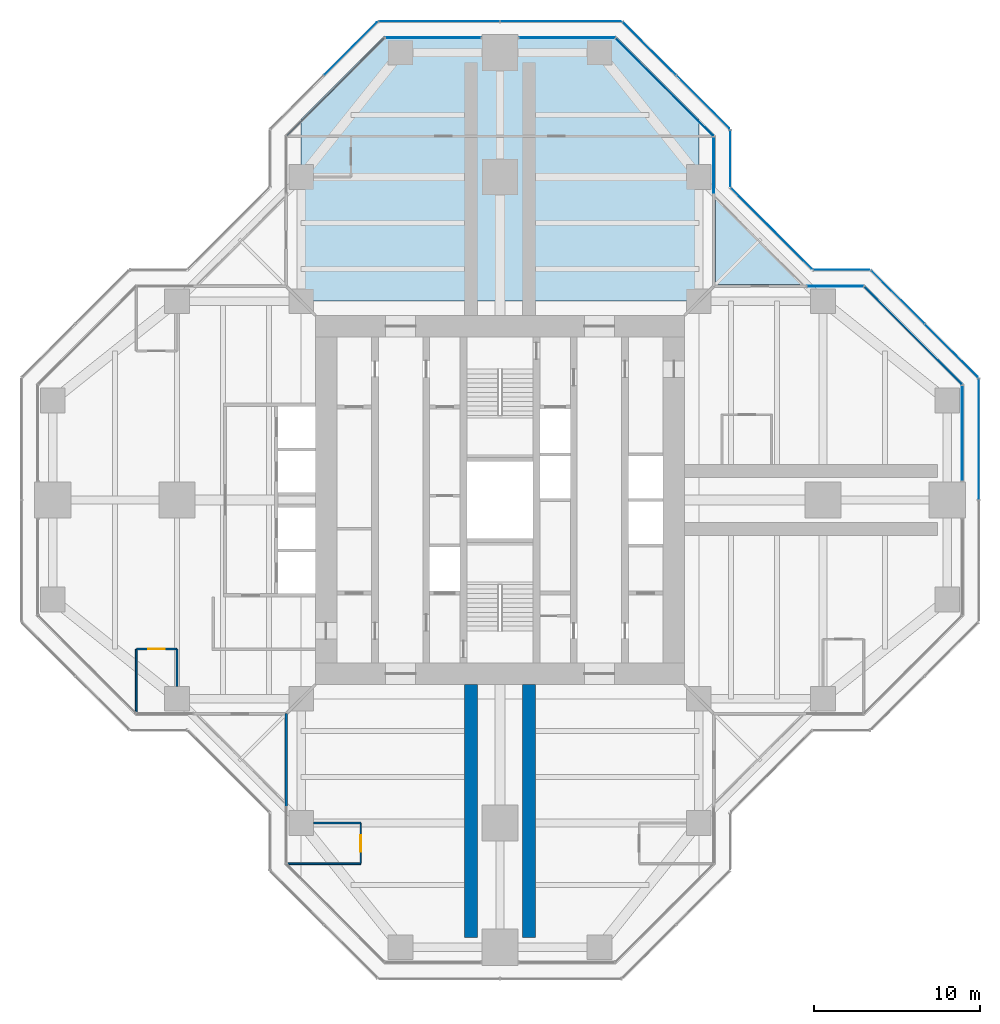
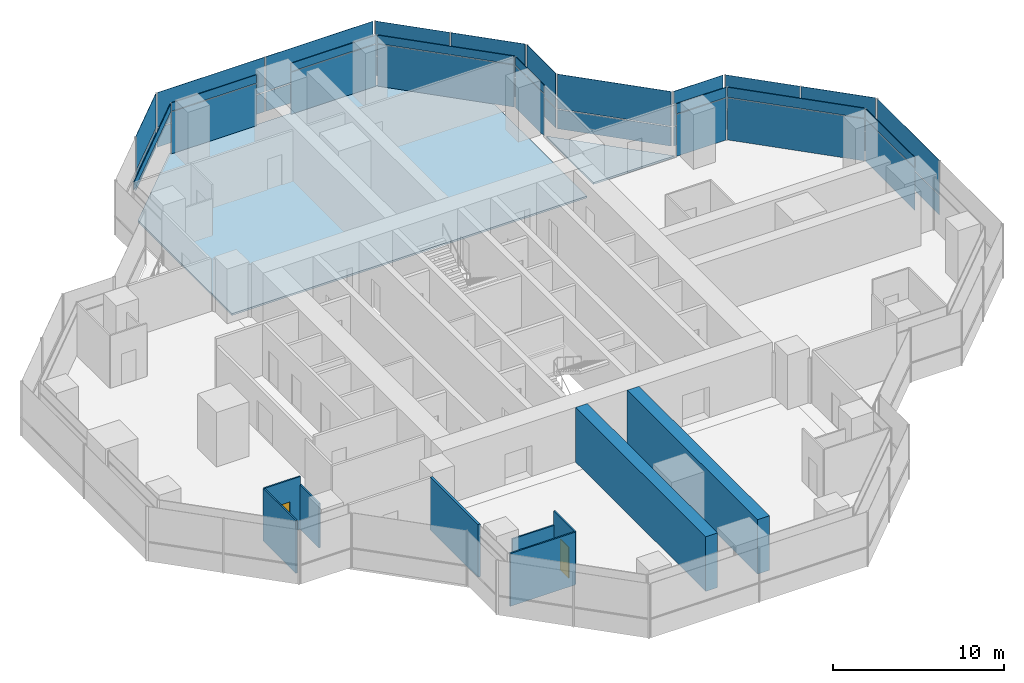
# One storey, part 12 of 17: 37 plates, 9 walls, 2 doors, 2 slabs, 2 openings, 16 elements without a shape of their own.
"""IFC4 building model written with IfcOpenShell, lengths in metres."""

from ifc_helpers import new_model, si_unit, direction, frame, frame_2d, origin, origin_2d, place, context, subcontext, project, spatial, polyline, rectangle, outline, extrude, material, layer, layer_set, type_object, element, fill, aggregate, save


model = new_model("IFC4")

# Units and contexts
model_context = context("Model", 3, precision=1e-05, world=origin(), true_north=direction((0.0, 1.0)))
body_context = subcontext(model_context, "Body", "Model", "MODEL_VIEW")
ifc_project = project(units=[si_unit("LENGTHUNIT", "METRE"), si_unit("AREAUNIT", "SQUARE_METRE"), si_unit("VOLUMEUNIT", "CUBIC_METRE"), si_unit("PLANEANGLEUNIT", "RADIAN"), si_unit("MASSUNIT", "GRAM", prefix="KILO")], contexts=[model_context])

# Site, building, storey
site_placement = place(None, origin())
site = spatial("IfcSite", under=ifc_project, at=site_placement, CompositionType="ELEMENT")
building_placement = place(site_placement, origin())
building = spatial("IfcBuilding", under=site, at=building_placement, Name="Mizan Broadcast Tower", CompositionType="ELEMENT")
storey_placement = place(building_placement, frame((0.0, 0.0, 263.39990234375)))
storey = spatial("IfcBuildingStorey", under=building, at=storey_placement, Name="L62", CompositionType="ELEMENT", Elevation=263.39990234375)

# Slab
ifc_material_1 = material(Name="Concrete C32/40", Category="concrete")
ifc_layer_1 = layer(ifc_material_1, 0.1298828125)
ifc_layer_set_1 = layer_set([ifc_layer_1], Name="Concrete C32/40")
slab_type_1 = type_object("IfcSlabType", Name="COMPOSITE DECK SLAB 130", PredefinedType="FLOOR", material=ifc_layer_set_1)
slab_1_placement = place(storey_placement, frame((0.0, 0.0, -0.1298828125)))
element("IfcSlab", 1, at=slab_1_placement, inside=storey, type_object=slab_type_1, Name="Floor slab L62 north arm", PredefinedType="FLOOR", context=body_context, shape_type="SweptSolid", body=[
    extrude(outline(polyline([(-7.0, 28.0), (-12.0, 23.0), (-12.0, 12.0), (12.0, 12.0), (12.0, 23.0), (7.0, 28.0), (-7.0, 28.0)])), origin(), (0.0, 0.0, 1.0), 0.1298828125),
])

# Curtain wall, plate
ifc_material_2 = material(Name="Aluminium framed glazing", Category="aluminium")
curtain_wall_type_1 = type_object("IfcCurtainWallType", Name="INNER SKIN HIGH ZONE", PredefinedType="USERDEFINED", material=ifc_material_2)
curtain_wall_1_placement = place(storey_placement, origin())
curtain_wall_1 = element("IfcCurtainWall", 2, at=curtain_wall_1_placement, inside=storey, type_object=curtain_wall_type_1, Name="Inner skin high zone L62 E end", ObjectType="INNER SKIN HIGH ZONE", PredefinedType="USERDEFINED")
ifc_material_3 = material(Name="Double glazing, clear low-e", Category="glass")
ifc_layer_2 = layer(ifc_material_3, 0.028076171875)
ifc_layer_set_2 = layer_set([ifc_layer_2], Name="Double glazing, clear low-e")
plate_type_1 = type_object("IfcPlateType", Name="INNER SKIN GLAZING UNIT", PredefinedType="CURTAIN_PANEL", material=ifc_layer_set_2)
plate_1_placement = place(storey_placement, frame((27.89990234375, 4.029296875, 0.0), z_axis=(0.0, 0.0, 1.0), x_axis=(0.0, 1.0, 0.0)))
plate_1 = element("IfcPlate", 3, at=plate_1_placement, type_object=plate_type_1, Name="Inner skin high zone L62 E end panel 1.1", PredefinedType="CURTAIN_PANEL", context=body_context, shape_type="SweptSolid", body=[
    extrude(rectangle(XDim=5.738525390625, YDim=0.028076171875, at=origin_2d()), origin(), (0.0, 0.0, 1.0), 3.0),
])

curtain_wall_2_placement = place(storey_placement, origin())
curtain_wall_2 = element("IfcCurtainWall", 4, at=curtain_wall_2_placement, inside=storey, type_object=curtain_wall_type_1, Name="Inner skin high zone L62 E chamfer", ObjectType="INNER SKIN HIGH ZONE", PredefinedType="USERDEFINED")
plate_2_placement = place(storey_placement, frame((24.92919921875, 9.92919921875, 0.0), z_axis=(0.0, 0.0, 1.0), x_axis=(-0.707106781187, 0.707106781187, 0.0)))
plate_2 = element("IfcPlate", 5, at=plate_2_placement, type_object=plate_type_1, Name="Inner skin high zone L62 E chamfer panel 1.1", PredefinedType="CURTAIN_PANEL", context=body_context, shape_type="SweptSolid", body=[
    extrude(rectangle(XDim=8.282470703125, YDim=0.028076171875, at=origin_2d()), origin(), (0.0, 0.0, 1.0), 3.0),
])

curtain_wall_3_placement = place(storey_placement, origin())
curtain_wall_3 = element("IfcCurtainWall", 6, at=curtain_wall_3_placement, inside=storey, type_object=curtain_wall_type_1, Name="Inner skin high zone L62 E side", ObjectType="INNER SKIN HIGH ZONE", PredefinedType="USERDEFINED")
plate_3_placement = place(storey_placement, frame((20.229248046875, 12.89990234375, 0.0), z_axis=(0.0, 0.0, 1.0), x_axis=(-1.0, 0.0, 0.0)))
plate_3 = element("IfcPlate", 7, at=plate_3_placement, type_object=plate_type_1, Name="Inner skin high zone L62 E side panel 1.1", PredefinedType="CURTAIN_PANEL", context=body_context, shape_type="SweptSolid", body=[
    extrude(rectangle(XDim=3.338623046875, YDim=0.028076171875, at=origin_2d()), origin(), (0.0, 0.0, 1.0), 3.0),
])

curtain_wall_4_placement = place(storey_placement, origin())
curtain_wall_4 = element("IfcCurtainWall", 8, at=curtain_wall_4_placement, inside=storey, type_object=curtain_wall_type_1, Name="Inner skin high zone L62 N side", ObjectType="INNER SKIN HIGH ZONE", PredefinedType="USERDEFINED")
plate_4_placement = place(storey_placement, frame((12.89990234375, 20.229248046875, 0.0), z_axis=(0.0, 0.0, 1.0), x_axis=(0.0, 1.0, 0.0)))
plate_4 = element("IfcPlate", 9, at=plate_4_placement, type_object=plate_type_1, Name="Inner skin high zone L62 N side panel 1.1", PredefinedType="CURTAIN_PANEL", context=body_context, shape_type="SweptSolid", body=[
    extrude(rectangle(XDim=3.338623046875, YDim=0.028076171875, at=origin_2d()), origin(), (0.0, 0.0, 1.0), 3.0),
])

curtain_wall_5_placement = place(storey_placement, origin())
curtain_wall_5 = element("IfcCurtainWall", 10, at=curtain_wall_5_placement, inside=storey, type_object=curtain_wall_type_1, Name="Inner skin high zone L62 N chamfer", ObjectType="INNER SKIN HIGH ZONE", PredefinedType="USERDEFINED")
plate_5_placement = place(storey_placement, frame((9.92919921875, 24.92919921875, 0.0), z_axis=(0.0, 0.0, 1.0), x_axis=(-0.707106781187, 0.707106781187, 0.0)))
plate_5 = element("IfcPlate", 11, at=plate_5_placement, type_object=plate_type_1, Name="Inner skin high zone L62 N chamfer panel 1.1", PredefinedType="CURTAIN_PANEL", context=body_context, shape_type="SweptSolid", body=[
    extrude(rectangle(XDim=8.282470703125, YDim=0.028076171875, at=origin_2d()), origin(), (0.0, 0.0, 1.0), 3.0),
])

curtain_wall_6_placement = place(storey_placement, origin())
curtain_wall_6 = element("IfcCurtainWall", 12, at=curtain_wall_6_placement, inside=storey, type_object=curtain_wall_type_1, Name="Inner skin high zone L62 N end", ObjectType="INNER SKIN HIGH ZONE", PredefinedType="USERDEFINED")
plate_6_placement = place(storey_placement, frame((4.029296875, 27.89990234375, 0.0), z_axis=(0.0, 0.0, 1.0), x_axis=(-1.0, 0.0, 0.0)))
plate_6 = element("IfcPlate", 13, at=plate_6_placement, type_object=plate_type_1, Name="Inner skin high zone L62 N end panel 1.1", PredefinedType="CURTAIN_PANEL", context=body_context, shape_type="SweptSolid", body=[
    extrude(rectangle(XDim=5.738525390625, YDim=0.028076171875, at=origin_2d()), origin(), (0.0, 0.0, 1.0), 3.0),
])

curtain_wall_7_placement = place(storey_placement, origin())
curtain_wall_7 = element("IfcCurtainWall", 14, at=curtain_wall_7_placement, inside=storey, type_object=curtain_wall_type_1, Name="Inner skin high zone L62 N end", ObjectType="INNER SKIN HIGH ZONE", PredefinedType="USERDEFINED")
plate_7_placement = place(storey_placement, frame((-4.029296875, 27.89990234375, 0.0), z_axis=(0.0, 0.0, 1.0), x_axis=(-1.0, 0.0, 0.0)))
plate_7 = element("IfcPlate", 15, at=plate_7_placement, type_object=plate_type_1, Name="Inner skin high zone L62 N end panel 1.1", PredefinedType="CURTAIN_PANEL", context=body_context, shape_type="SweptSolid", body=[
    extrude(rectangle(XDim=5.738525390625, YDim=0.028076171875, at=origin_2d()), origin(), (0.0, 0.0, 1.0), 3.0),
])

# Plate
ifc_material_4 = material(Name="Insulated aluminium spandrel panel, pale anodised", Category="aluminium")
ifc_layer_3 = layer(ifc_material_4, 0.050048828125)
ifc_layer_set_3 = layer_set([ifc_layer_3], Name="Insulated aluminium spandrel panel, pale anodised")
plate_type_2 = type_object("IfcPlateType", Name="INNER SKIN SPANDREL PANEL", PredefinedType="CURTAIN_PANEL", material=ifc_layer_set_3)
plate_8_placement = place(storey_placement, frame((27.89990234375, 4.029296875, 3.06005859375), z_axis=(0.0, 0.0, 1.0), x_axis=(0.0, 1.0, 0.0)))
plate_8 = element("IfcPlate", 16, at=plate_8_placement, type_object=plate_type_2, Name="Inner skin high zone L62 E end panel 1.2", PredefinedType="CURTAIN_PANEL", context=body_context, shape_type="SweptSolid", body=[
    extrude(rectangle(XDim=5.738525390625, YDim=0.050048828125, at=origin_2d()), origin(), (0.0, 0.0, 1.0), 0.7099609375),
])

aggregate(curtain_wall_1, [plate_1, plate_8])

plate_9_placement = place(storey_placement, frame((24.92919921875, 9.92919921875, 3.06005859375), z_axis=(0.0, 0.0, 1.0), x_axis=(-0.707106781187, 0.707106781187, 0.0)))
plate_9 = element("IfcPlate", 17, at=plate_9_placement, type_object=plate_type_2, Name="Inner skin high zone L62 E chamfer panel 1.2", PredefinedType="CURTAIN_PANEL", context=body_context, shape_type="SweptSolid", body=[
    extrude(rectangle(XDim=8.282470703125, YDim=0.050048828125, at=origin_2d()), origin(), (0.0, 0.0, 1.0), 0.7099609375),
])

aggregate(curtain_wall_2, [plate_2, plate_9])

plate_10_placement = place(storey_placement, frame((20.229248046875, 12.89990234375, 3.06005859375), z_axis=(0.0, 0.0, 1.0), x_axis=(-1.0, 0.0, 0.0)))
plate_10 = element("IfcPlate", 18, at=plate_10_placement, type_object=plate_type_2, Name="Inner skin high zone L62 E side panel 1.2", PredefinedType="CURTAIN_PANEL", context=body_context, shape_type="SweptSolid", body=[
    extrude(rectangle(XDim=3.338623046875, YDim=0.050048828125, at=origin_2d()), origin(), (0.0, 0.0, 1.0), 0.7099609375),
])

aggregate(curtain_wall_3, [plate_3, plate_10])

plate_11_placement = place(storey_placement, frame((12.89990234375, 20.229248046875, 3.06005859375), z_axis=(0.0, 0.0, 1.0), x_axis=(0.0, 1.0, 0.0)))
plate_11 = element("IfcPlate", 19, at=plate_11_placement, type_object=plate_type_2, Name="Inner skin high zone L62 N side panel 1.2", PredefinedType="CURTAIN_PANEL", context=body_context, shape_type="SweptSolid", body=[
    extrude(rectangle(XDim=3.338623046875, YDim=0.050048828125, at=origin_2d()), origin(), (0.0, 0.0, 1.0), 0.590087890625),
])

aggregate(curtain_wall_4, [plate_4, plate_11])

plate_12_placement = place(storey_placement, frame((9.92919921875, 24.92919921875, 3.06005859375), z_axis=(0.0, 0.0, 1.0), x_axis=(-0.707106781187, 0.707106781187, 0.0)))
plate_12 = element("IfcPlate", 20, at=plate_12_placement, type_object=plate_type_2, Name="Inner skin high zone L62 N chamfer panel 1.2", PredefinedType="CURTAIN_PANEL", context=body_context, shape_type="SweptSolid", body=[
    extrude(rectangle(XDim=8.282470703125, YDim=0.050048828125, at=origin_2d()), origin(), (0.0, 0.0, 1.0), 0.590087890625),
])

aggregate(curtain_wall_5, [plate_5, plate_12])

plate_13_placement = place(storey_placement, frame((4.029296875, 27.89990234375, 3.06005859375), z_axis=(0.0, 0.0, 1.0), x_axis=(-1.0, 0.0, 0.0)))
plate_13 = element("IfcPlate", 21, at=plate_13_placement, type_object=plate_type_2, Name="Inner skin high zone L62 N end panel 1.2", PredefinedType="CURTAIN_PANEL", context=body_context, shape_type="SweptSolid", body=[
    extrude(rectangle(XDim=5.738525390625, YDim=0.050048828125, at=origin_2d()), origin(), (0.0, 0.0, 1.0), 0.590087890625),
])

aggregate(curtain_wall_6, [plate_6, plate_13])

plate_14_placement = place(storey_placement, frame((-4.029296875, 27.89990234375, 3.06005859375), z_axis=(0.0, 0.0, 1.0), x_axis=(-1.0, 0.0, 0.0)))
plate_14 = element("IfcPlate", 22, at=plate_14_placement, type_object=plate_type_2, Name="Inner skin high zone L62 N end panel 1.2", PredefinedType="CURTAIN_PANEL", context=body_context, shape_type="SweptSolid", body=[
    extrude(rectangle(XDim=5.738525390625, YDim=0.050048828125, at=origin_2d()), origin(), (0.0, 0.0, 1.0), 0.590087890625),
])

aggregate(curtain_wall_7, [plate_7, plate_14])

# Curtain wall, plate
curtain_wall_8_placement = place(storey_placement, origin())
curtain_wall_8 = element("IfcCurtainWall", 23, at=curtain_wall_8_placement, inside=storey, type_object=curtain_wall_type_1, Name="Inner skin high zone L62 N chamfer", ObjectType="INNER SKIN HIGH ZONE", PredefinedType="USERDEFINED")
plate_15_placement = place(storey_placement, frame((-9.92919921875, 24.92919921875, 3.06005859375), z_axis=(0.0, 0.0, 1.0), x_axis=(-0.707106781187, -0.707106781187, 0.0)))
plate_15 = element("IfcPlate", 24, at=plate_15_placement, type_object=plate_type_2, Name="Inner skin high zone L62 N chamfer panel 1.2", PredefinedType="CURTAIN_PANEL", context=body_context, shape_type="SweptSolid", body=[
    extrude(rectangle(XDim=8.282470703125, YDim=0.050048828125, at=origin_2d()), origin(), (0.0, 0.0, 1.0), 0.590087890625),
])
aggregate(curtain_wall_8, [plate_15])

# Curtain wall, plates
ifc_material_5 = material(Name="Aluminium framed glazing", Category="aluminium")
curtain_wall_type_2 = type_object("IfcCurtainWallType", Name="OUTER SKIN", PredefinedType="USERDEFINED", material=ifc_material_5)
curtain_wall_9_placement = place(storey_placement, origin())
curtain_wall_9 = element("IfcCurtainWall", 25, at=curtain_wall_9_placement, inside=storey, type_object=curtain_wall_type_2, Name="Outer skin L62 E chamfer", ObjectType="OUTER SKIN", PredefinedType="USERDEFINED")
ifc_material_6 = material(Name="Laminated clear glass", Category="glass")
ifc_layer_4 = layer(ifc_material_6, 0.02001953125)
ifc_layer_set_4 = layer_set([ifc_layer_4], Name="Laminated clear glass")
plate_type_3 = type_object("IfcPlateType", Name="OUTER SKIN CLEAR GLASS", PredefinedType="CURTAIN_PANEL", material=ifc_layer_set_4)
plate_16_placement = place(storey_placement, frame((27.254150390625, 9.018798828125, 0.0), z_axis=(0.0, 0.0, 1.0), x_axis=(-0.707106781187, 0.707106781187, 0.0)))
plate_16 = element("IfcPlate", 26, at=plate_16_placement, type_object=plate_type_3, Name="Outer skin L62 E chamfer panel 1.1", PredefinedType="CURTAIN_PANEL", context=body_context, shape_type="SweptSolid", body=[
    extrude(rectangle(XDim=4.495361328125, YDim=0.02001953125, at=origin_2d()), origin(), (0.0, 0.0, 1.0), 1.3701171875),
])
plate_17_placement = place(storey_placement, frame((27.254150390625, 9.018798828125, 1.43017578125), z_axis=(0.0, 0.0, 1.0), x_axis=(-0.707106781187, 0.707106781187, 0.0)))
plate_17 = element("IfcPlate", 27, at=plate_17_placement, type_object=plate_type_3, Name="Outer skin L62 E chamfer panel 1.2", PredefinedType="CURTAIN_PANEL", context=body_context, shape_type="SweptSolid", body=[
    extrude(rectangle(XDim=4.495361328125, YDim=0.02001953125, at=origin_2d()), origin(), (0.0, 0.0, 1.0), 2.469970703125),
])

curtain_wall_10_placement = place(storey_placement, origin())
curtain_wall_10 = element("IfcCurtainWall", 28, at=curtain_wall_10_placement, inside=storey, type_object=curtain_wall_type_2, Name="Outer skin L62 E side", ObjectType="OUTER SKIN", PredefinedType="USERDEFINED")
plate_18_placement = place(storey_placement, frame((20.622802734375, 13.89990234375, 0.0), z_axis=(0.0, 0.0, 1.0), x_axis=(-1.0, 0.0, 0.0)))
plate_18 = element("IfcPlate", 29, at=plate_18_placement, type_object=plate_type_3, Name="Outer skin L62 E side panel 1.1", PredefinedType="CURTAIN_PANEL", context=body_context, shape_type="SweptSolid", body=[
    extrude(rectangle(XDim=3.340087890625, YDim=0.02001953125, at=origin_2d()), origin(), (0.0, 0.0, 1.0), 1.3701171875),
])
plate_19_placement = place(storey_placement, frame((20.622802734375, 13.89990234375, 1.43017578125), z_axis=(0.0, 0.0, 1.0), x_axis=(-1.0, 0.0, 0.0)))
plate_19 = element("IfcPlate", 30, at=plate_19_placement, type_object=plate_type_3, Name="Outer skin L62 E side panel 1.2", PredefinedType="CURTAIN_PANEL", context=body_context, shape_type="SweptSolid", body=[
    extrude(rectangle(XDim=3.340087890625, YDim=0.02001953125, at=origin_2d()), origin(), (0.0, 0.0, 1.0), 2.469970703125),
])
aggregate(curtain_wall_10, [plate_18, plate_19])

curtain_wall_11_placement = place(storey_placement, origin())
curtain_wall_11 = element("IfcCurtainWall", 31, at=curtain_wall_11_placement, inside=storey, type_object=curtain_wall_type_2, Name="Outer skin L62 E chamfer", ObjectType="OUTER SKIN", PredefinedType="USERDEFINED")
plate_20_placement = place(storey_placement, frame((16.386474609375, 16.386474609375, 0.0), z_axis=(0.0, 0.0, 1.0), x_axis=(-0.707106781187, 0.707106781187, 0.0)))
plate_20 = element("IfcPlate", 32, at=plate_20_placement, type_object=plate_type_3, Name="Outer skin L62 E chamfer panel 1.1", PredefinedType="CURTAIN_PANEL", context=body_context, shape_type="SweptSolid", body=[
    extrude(rectangle(XDim=6.87255859375, YDim=0.02001953125, at=origin_2d()), origin(), (0.0, 0.0, 1.0), 1.3701171875),
])
plate_21_placement = place(storey_placement, frame((16.386474609375, 16.386474609375, 1.43017578125), z_axis=(0.0, 0.0, 1.0), x_axis=(-0.707106781187, 0.707106781187, 0.0)))
plate_21 = element("IfcPlate", 33, at=plate_21_placement, type_object=plate_type_3, Name="Outer skin L62 E chamfer panel 1.2", PredefinedType="CURTAIN_PANEL", context=body_context, shape_type="SweptSolid", body=[
    extrude(rectangle(XDim=6.87255859375, YDim=0.02001953125, at=origin_2d()), origin(), (0.0, 0.0, 1.0), 2.469970703125),
])
aggregate(curtain_wall_11, [plate_20, plate_21])

curtain_wall_12_placement = place(storey_placement, origin())
curtain_wall_12 = element("IfcCurtainWall", 34, at=curtain_wall_12_placement, inside=storey, type_object=curtain_wall_type_2, Name="Outer skin L62 N side", ObjectType="OUTER SKIN", PredefinedType="USERDEFINED")
plate_22_placement = place(storey_placement, frame((13.89990234375, 20.622802734375, 0.0), z_axis=(0.0, 0.0, 1.0), x_axis=(0.0, 1.0, 0.0)))
plate_22 = element("IfcPlate", 35, at=plate_22_placement, type_object=plate_type_3, Name="Outer skin L62 N side panel 1.1", PredefinedType="CURTAIN_PANEL", context=body_context, shape_type="SweptSolid", body=[
    extrude(rectangle(XDim=3.340087890625, YDim=0.02001953125, at=origin_2d()), origin(), (0.0, 0.0, 1.0), 1.3701171875),
])
plate_23_placement = place(storey_placement, frame((13.89990234375, 20.622802734375, 1.43017578125), z_axis=(0.0, 0.0, 1.0), x_axis=(0.0, 1.0, 0.0)))
plate_23 = element("IfcPlate", 36, at=plate_23_placement, type_object=plate_type_3, Name="Outer skin L62 N side panel 1.2", PredefinedType="CURTAIN_PANEL", context=body_context, shape_type="SweptSolid", body=[
    extrude(rectangle(XDim=3.340087890625, YDim=0.02001953125, at=origin_2d()), origin(), (0.0, 0.0, 1.0), 2.469970703125),
])
aggregate(curtain_wall_12, [plate_22, plate_23])

curtain_wall_13_placement = place(storey_placement, origin())
curtain_wall_13 = element("IfcCurtainWall", 37, at=curtain_wall_13_placement, inside=storey, type_object=curtain_wall_type_2, Name="Outer skin L62 N chamfer", ObjectType="OUTER SKIN", PredefinedType="USERDEFINED")
plate_24_placement = place(storey_placement, frame((12.254150390625, 24.018798828125, 0.0), z_axis=(0.0, 0.0, 1.0), x_axis=(-0.707106781187, 0.707106781187, 0.0)))
plate_24 = element("IfcPlate", 38, at=plate_24_placement, type_object=plate_type_3, Name="Outer skin L62 N chamfer panel 1.1", PredefinedType="CURTAIN_PANEL", context=body_context, shape_type="SweptSolid", body=[
    extrude(rectangle(XDim=4.495361328125, YDim=0.02001953125, at=origin_2d()), origin(), (0.0, 0.0, 1.0), 1.3701171875),
])
plate_25_placement = place(storey_placement, frame((12.254150390625, 24.018798828125, 1.43017578125), z_axis=(0.0, 0.0, 1.0), x_axis=(-0.707106781187, 0.707106781187, 0.0)))
plate_25 = element("IfcPlate", 39, at=plate_25_placement, type_object=plate_type_3, Name="Outer skin L62 N chamfer panel 1.2", PredefinedType="CURTAIN_PANEL", context=body_context, shape_type="SweptSolid", body=[
    extrude(rectangle(XDim=4.495361328125, YDim=0.02001953125, at=origin_2d()), origin(), (0.0, 0.0, 1.0), 2.469970703125),
])

curtain_wall_14_placement = place(storey_placement, origin())
curtain_wall_14 = element("IfcCurtainWall", 40, at=curtain_wall_14_placement, inside=storey, type_object=curtain_wall_type_2, Name="Outer skin L62 N end", ObjectType="OUTER SKIN", PredefinedType="USERDEFINED")
plate_26_placement = place(storey_placement, frame((3.66650390625, 28.89990234375, 0.0), z_axis=(0.0, 0.0, 1.0), x_axis=(-1.0, 0.0, 0.0)))
plate_26 = element("IfcPlate", 41, at=plate_26_placement, type_object=plate_type_3, Name="Outer skin L62 N end panel 1.1", PredefinedType="CURTAIN_PANEL", context=body_context, shape_type="SweptSolid", body=[
    extrude(rectangle(XDim=7.252685546875, YDim=0.02001953125, at=origin_2d()), origin(), (0.0, 0.0, 1.0), 1.3701171875),
])
plate_27_placement = place(storey_placement, frame((3.66650390625, 28.89990234375, 1.43017578125), z_axis=(0.0, 0.0, 1.0), x_axis=(-1.0, 0.0, 0.0)))
plate_27 = element("IfcPlate", 42, at=plate_27_placement, type_object=plate_type_3, Name="Outer skin L62 N end panel 1.2", PredefinedType="CURTAIN_PANEL", context=body_context, shape_type="SweptSolid", body=[
    extrude(rectangle(XDim=7.252685546875, YDim=0.02001953125, at=origin_2d()), origin(), (0.0, 0.0, 1.0), 2.469970703125),
])
plate_28_placement = place(storey_placement, frame((-3.66650390625, 28.89990234375, 0.0), z_axis=(0.0, 0.0, 1.0), x_axis=(-1.0, 0.0, 0.0)))
plate_28 = element("IfcPlate", 43, at=plate_28_placement, type_object=plate_type_3, Name="Outer skin L62 N end panel 2.1", PredefinedType="CURTAIN_PANEL", context=body_context, shape_type="SweptSolid", body=[
    extrude(rectangle(XDim=7.252685546875, YDim=0.02001953125, at=origin_2d()), origin(), (0.0, 0.0, 1.0), 1.3701171875),
])
plate_29_placement = place(storey_placement, frame((-3.66650390625, 28.89990234375, 1.43017578125), z_axis=(0.0, 0.0, 1.0), x_axis=(-1.0, 0.0, 0.0)))
plate_29 = element("IfcPlate", 44, at=plate_29_placement, type_object=plate_type_3, Name="Outer skin L62 N end panel 2.2", PredefinedType="CURTAIN_PANEL", context=body_context, shape_type="SweptSolid", body=[
    extrude(rectangle(XDim=7.252685546875, YDim=0.02001953125, at=origin_2d()), origin(), (0.0, 0.0, 1.0), 2.469970703125),
])
aggregate(curtain_wall_14, [plate_26, plate_27, plate_28, plate_29])

curtain_wall_15_placement = place(storey_placement, origin())
curtain_wall_15 = element("IfcCurtainWall", 45, at=curtain_wall_15_placement, inside=storey, type_object=curtain_wall_type_2, Name="Outer skin L62 N chamfer", ObjectType="OUTER SKIN", PredefinedType="USERDEFINED")
plate_30_placement = place(storey_placement, frame((-9.018798828125, 27.254150390625, 0.0), z_axis=(0.0, 0.0, 1.0), x_axis=(-0.707106781187, -0.707106781187, 0.0)))
plate_30 = element("IfcPlate", 46, at=plate_30_placement, type_object=plate_type_3, Name="Outer skin L62 N chamfer panel 1.1", PredefinedType="CURTAIN_PANEL", context=body_context, shape_type="SweptSolid", body=[
    extrude(rectangle(XDim=4.495361328125, YDim=0.02001953125, at=origin_2d()), origin(), (0.0, 0.0, 1.0), 1.3701171875),
])
plate_31_placement = place(storey_placement, frame((-9.018798828125, 27.254150390625, 1.43017578125), z_axis=(0.0, 0.0, 1.0), x_axis=(-0.707106781187, -0.707106781187, 0.0)))
plate_31 = element("IfcPlate", 47, at=plate_31_placement, type_object=plate_type_3, Name="Outer skin L62 N chamfer panel 1.2", PredefinedType="CURTAIN_PANEL", context=body_context, shape_type="SweptSolid", body=[
    extrude(rectangle(XDim=4.495361328125, YDim=0.02001953125, at=origin_2d()), origin(), (0.0, 0.0, 1.0), 2.469970703125),
])
aggregate(curtain_wall_15, [plate_30, plate_31])

curtain_wall_16_placement = place(storey_placement, origin())
curtain_wall_16 = element("IfcCurtainWall", 48, at=curtain_wall_16_placement, inside=storey, type_object=curtain_wall_type_2, Name="Outer skin L62 E end", ObjectType="OUTER SKIN", PredefinedType="USERDEFINED")
ifc_material_7 = material(Name="Perforated aluminium, pale anodised", Category="aluminium")
ifc_layer_5 = layer(ifc_material_7, 0.011962890625)
ifc_layer_set_5 = layer_set([ifc_layer_5], Name="Perforated aluminium, pale anodised")
plate_type_4 = type_object("IfcPlateType", Name="OUTER SKIN PERFORATED SCREEN", PredefinedType="USERDEFINED", material=ifc_layer_set_5)
plate_32_placement = place(storey_placement, frame((28.89990234375, 3.66650390625, 0.0), z_axis=(0.0, 0.0, 1.0), x_axis=(0.0, 1.0, 0.0)))
plate_32 = element("IfcPlate", 49, at=plate_32_placement, type_object=plate_type_4, Name="Outer skin L62 E end panel 2.1", ObjectType="SCREEN", PredefinedType="USERDEFINED", context=body_context, shape_type="SweptSolid", body=[
    extrude(rectangle(XDim=7.252685546875, YDim=0.011962890625, at=origin_2d()), origin(), (0.0, 0.0, 1.0), 1.3701171875),
])
plate_33_placement = place(storey_placement, frame((28.89990234375, 3.66650390625, 1.43017578125), z_axis=(0.0, 0.0, 1.0), x_axis=(0.0, 1.0, 0.0)))
plate_33 = element("IfcPlate", 50, at=plate_33_placement, type_object=plate_type_4, Name="Outer skin L62 E end panel 2.2", ObjectType="SCREEN", PredefinedType="USERDEFINED", context=body_context, shape_type="SweptSolid", body=[
    extrude(rectangle(XDim=7.252685546875, YDim=0.011962890625, at=origin_2d()), origin(), (0.0, 0.0, 1.0), 2.469970703125),
])
aggregate(curtain_wall_16, [plate_32, plate_33])

# Plate
plate_34_placement = place(storey_placement, frame((24.018798828125, 12.254150390625, 0.0), z_axis=(0.0, 0.0, 1.0), x_axis=(-0.707106781187, 0.707106781187, 0.0)))
plate_34 = element("IfcPlate", 51, at=plate_34_placement, type_object=plate_type_4, Name="Outer skin L62 E chamfer panel 2.1", ObjectType="SCREEN", PredefinedType="USERDEFINED", context=body_context, shape_type="SweptSolid", body=[
    extrude(rectangle(XDim=4.495361328125, YDim=0.011962890625, at=origin_2d()), origin(), (0.0, 0.0, 1.0), 1.3701171875),
])

plate_35_placement = place(storey_placement, frame((24.018798828125, 12.254150390625, 1.43017578125), z_axis=(0.0, 0.0, 1.0), x_axis=(-0.707106781187, 0.707106781187, 0.0)))
plate_35 = element("IfcPlate", 52, at=plate_35_placement, type_object=plate_type_4, Name="Outer skin L62 E chamfer panel 2.2", ObjectType="SCREEN", PredefinedType="USERDEFINED", context=body_context, shape_type="SweptSolid", body=[
    extrude(rectangle(XDim=4.495361328125, YDim=0.011962890625, at=origin_2d()), origin(), (0.0, 0.0, 1.0), 2.469970703125),
])

aggregate(curtain_wall_9, [plate_16, plate_17, plate_34, plate_35])

plate_36_placement = place(storey_placement, frame((9.018798828125, 27.254150390625, 0.0), z_axis=(0.0, 0.0, 1.0), x_axis=(-0.707106781187, 0.707106781187, 0.0)))
plate_36 = element("IfcPlate", 53, at=plate_36_placement, type_object=plate_type_4, Name="Outer skin L62 N chamfer panel 2.1", ObjectType="SCREEN", PredefinedType="USERDEFINED", context=body_context, shape_type="SweptSolid", body=[
    extrude(rectangle(XDim=4.495361328125, YDim=0.011962890625, at=origin_2d()), origin(), (0.0, 0.0, 1.0), 1.3701171875),
])

plate_37_placement = place(storey_placement, frame((9.018798828125, 27.254150390625, 1.43017578125), z_axis=(0.0, 0.0, 1.0), x_axis=(-0.707106781187, 0.707106781187, 0.0)))
plate_37 = element("IfcPlate", 54, at=plate_37_placement, type_object=plate_type_4, Name="Outer skin L62 N chamfer panel 2.2", ObjectType="SCREEN", PredefinedType="USERDEFINED", context=body_context, shape_type="SweptSolid", body=[
    extrude(rectangle(XDim=4.495361328125, YDim=0.011962890625, at=origin_2d()), origin(), (0.0, 0.0, 1.0), 2.469970703125),
])

aggregate(curtain_wall_13, [plate_24, plate_25, plate_36, plate_37])

# Slab
ifc_material_8 = material(Name="Concrete C32/40", Category="concrete")
ifc_layer_6 = layer(ifc_material_8, 0.1298828125)
ifc_layer_set_6 = layer_set([ifc_layer_6], Name="Concrete C32/40")
slab_type_2 = type_object("IfcSlabType", Name="WINTER GARDEN SLAB 130", PredefinedType="FLOOR", material=ifc_layer_set_6)
slab_2_placement = place(storey_placement, frame((0.0, 0.0, -0.1298828125)))
element("IfcSlab", 55, at=slab_2_placement, inside=storey, type_object=slab_type_2, Name="Winter garden slab L62 E", PredefinedType="FLOOR", context=body_context, shape_type="SweptSolid", body=[
    extrude(outline(polyline([(13.0, 13.0), (18.5, 13.0), (13.0, 18.5), (13.0, 13.0)])), origin(), (0.0, 0.0, 1.0), 0.1298828125),
])

# Wall
ifc_material_9 = material(Name="Aluminium framed glazed screen", Category="aluminium")
ifc_layer_7 = layer(ifc_material_9, 0.159912109375)
ifc_layer_set_7 = layer_set([ifc_layer_7], Name="Aluminium framed glazed screen")
wall_type_1 = type_object("IfcWallType", Name="GLAZED SCREEN WALL 160", PredefinedType="SOLIDWALL", material=ifc_layer_set_7)
wall_1_placement = place(storey_placement, frame((-12.89990234375, -12.89990234375, 0.0), z_axis=(0.0, 0.0, 1.0), x_axis=(0.0, -1.0, 0.0)))
element("IfcWall", 56, at=wall_1_placement, inside=storey, type_object=wall_type_1, Name="Winter garden screen L62 S", PredefinedType="SOLIDWALL", context=body_context, shape_type="SweptSolid", body=[
    extrude(rectangle(XDim=5.60009765625, YDim=0.159912109375, at=frame_2d((2.800048828125, 0.0))), origin(), (0.0, 0.0, 1.0), 3.77001953125),
])

# Wall, opening, door
ifc_material_10 = material(Name="Glazed aluminium partition on aluminium track", Category="aluminium")
ifc_layer_8 = layer(ifc_material_10, 0.10009765625)
ifc_layer_set_8 = layer_set([ifc_layer_8], Name="Glazed aluminium partition on aluminium track")
wall_type_2 = type_object("IfcWallType", Name="PARTITION GLAZED OFFICE FRONT 100", PredefinedType="PARTITIONING", material=ifc_layer_set_8)
wall_2_placement = place(storey_placement, frame((-19.5, -9.0, 0.0), z_axis=(0.0, 0.0, 1.0), x_axis=(-1.0, 0.0, 0.0)))
wall_2 = element("IfcWall", 57, at=wall_2_placement, inside=storey, type_object=wall_type_2, Name="Glazed office front PT/WCP0", PredefinedType="PARTITIONING", context=body_context, shape_type="SweptSolid", body=[
    extrude(rectangle(XDim=2.458984375, YDim=0.10009765625, at=frame_2d((1.2294921875, 0.0))), origin(), (0.0, 0.0, 1.0), 3.77001953125),
])
opening_1_placement = place(wall_2_placement, frame((0.7294921875, 0.0, 0.0)))
opening_1 = element("IfcOpeningElement", 58, at=opening_1_placement, cuts=wall_2, Name="Opening D10O", PredefinedType="OPENING", context=body_context, shape_type="SweptSolid", body=[
    extrude(rectangle(XDim=1.0, YDim=2.199951171875, at=frame_2d((0.5, 1.10009765625))), frame((0.0, 0.06005859375, 0.0), z_axis=(0.0, -1.0, 0.0), x_axis=(1.0, 0.0, 0.0)), (0.0, 0.0, 1.0), 0.1201171875),
])
ifc_material_11 = material(Name="Timber door leaf in aluminium frame", Category="wood")
door_type = type_object("IfcDoorType", Name="OFFICE DOOR 1000 GLAZED", OperationType="SINGLE_SWING_LEFT", PredefinedType="DOOR", material=ifc_material_11)
door_1_placement = place(opening_1_placement, origin())
door_1 = element("IfcDoor", 59, at=door_1_placement, inside=storey, type_object=door_type, Name="Tenant dining room door", OperationType="SINGLE_SWING_LEFT", OverallHeight=2.199951171875, OverallWidth=1.0, PredefinedType="DOOR", context=body_context, shape_type="SweptSolid", body=[
    extrude(rectangle(XDim=1.0, YDim=2.199951171875, at=frame_2d((0.5, 1.10009765625))), frame((0.0, 0.02490234375, 0.0), z_axis=(0.0, -1.0, 0.0), x_axis=(1.0, 0.0, 0.0)), (0.0, 0.0, 1.0), 0.050048828125),
])
fill(opening_1, door_1)

# Walls
wall_3_placement = place(storey_placement, frame((-19.5, -9.0, 0.0), z_axis=(0.0, 0.0, 1.0), x_axis=(0.0, -1.0, 0.0)))
element("IfcWall", 60, at=wall_3_placement, inside=storey, type_object=wall_type_2, Name="Glazed office front PT/WQP1950", PredefinedType="PARTITIONING", context=body_context, shape_type="SweptSolid", body=[
    extrude(rectangle(XDim=2.25, YDim=0.10009765625, at=frame_2d((1.125, 0.0))), origin(), (0.0, 0.0, 1.0), 3.18017578125),
])
wall_4_placement = place(storey_placement, frame((-21.958984375, -9.0, 0.0), z_axis=(0.0, 0.0, 1.0), x_axis=(0.0, -1.0, 0.0)))
element("IfcWall", 61, at=wall_4_placement, inside=storey, type_object=wall_type_2, Name="Glazed office front PT/WQP2196", PredefinedType="PARTITIONING", context=body_context, shape_type="SweptSolid", body=[
    extrude(rectangle(XDim=3.820068359375, YDim=0.10009765625, at=frame_2d((1.91015625, 0.0))), origin(), (0.0, 0.0, 1.0), 3.77001953125),
])

# Wall, opening, door
wall_5_placement = place(storey_placement, frame((-8.39990234375, -19.5, 0.0), z_axis=(0.0, 0.0, 1.0), x_axis=(0.0, -1.0, 0.0)))
wall_5 = element("IfcWall", 62, at=wall_5_placement, inside=storey, type_object=wall_type_2, Name="Glazed office front PT/SCN0", PredefinedType="PARTITIONING", context=body_context, shape_type="SweptSolid", body=[
    extrude(rectangle(XDim=2.458984375, YDim=0.10009765625, at=frame_2d((1.2294921875, 0.0))), origin(), (0.0, 0.0, 1.0), 3.77001953125),
])
opening_2_placement = place(wall_5_placement, frame((0.7294921875, 0.0, 0.0)))
opening_2 = element("IfcOpeningElement", 63, at=opening_2_placement, cuts=wall_5, Name="Opening D10O", PredefinedType="OPENING", context=body_context, shape_type="SweptSolid", body=[
    extrude(rectangle(XDim=1.0, YDim=2.199951171875, at=frame_2d((0.5, 1.10009765625))), frame((0.0, 0.06005859375, 0.0), z_axis=(0.0, -1.0, 0.0), x_axis=(1.0, 0.0, 0.0)), (0.0, 0.0, 1.0), 0.1201171875),
])
door_2_placement = place(opening_2_placement, origin())
door_2 = element("IfcDoor", 64, at=door_2_placement, inside=storey, type_object=door_type, Name="Tenant meeting room door", OperationType="SINGLE_SWING_LEFT", OverallHeight=2.199951171875, OverallWidth=1.0, PredefinedType="DOOR", context=body_context, shape_type="SweptSolid", body=[
    extrude(rectangle(XDim=1.0, YDim=2.199951171875, at=frame_2d((0.5, 1.10009765625))), frame((0.0, 0.02490234375, 0.0), z_axis=(0.0, -1.0, 0.0), x_axis=(1.0, 0.0, 0.0)), (0.0, 0.0, 1.0), 0.050048828125),
])
fill(opening_2, door_2)

# Walls
wall_6_placement = place(storey_placement, frame((-8.39990234375, -19.5, 0.0), z_axis=(0.0, 0.0, 1.0), x_axis=(-1.0, 0.0, 0.0)))
element("IfcWall", 65, at=wall_6_placement, inside=storey, type_object=wall_type_2, Name="Glazed office front PT/SQN1950", PredefinedType="PARTITIONING", context=body_context, shape_type="SweptSolid", body=[
    extrude(rectangle(XDim=2.85009765625, YDim=0.10009765625, at=frame_2d((1.425048828125, 0.0))), origin(), (0.0, 0.0, 1.0), 2.77001953125),
])
wall_7_placement = place(storey_placement, frame((-8.39990234375, -21.958984375, 0.0), z_axis=(0.0, 0.0, 1.0), x_axis=(-1.0, 0.0, 0.0)))
element("IfcWall", 66, at=wall_7_placement, inside=storey, type_object=wall_type_2, Name="Glazed office front PT/SQN2196", PredefinedType="PARTITIONING", context=body_context, shape_type="SweptSolid", body=[
    extrude(rectangle(XDim=4.420166015625, YDim=0.10009765625, at=frame_2d((2.2099609375, 0.0))), origin(), (0.0, 0.0, 1.0), 3.77001953125),
])
ifc_material_12 = material(Name="Concrete C70/85", Category="concrete")
ifc_layer_9 = layer(ifc_material_12, 0.800048828125)
ifc_layer_set_9 = layer_set([ifc_layer_9], Name="Concrete C70/85")
wall_type_3 = type_object("IfcWallType", Name="SPINE WALL 800", PredefinedType="SHEAR", material=ifc_layer_set_9)
for number, where, z_axis, x_axis, name in (
    (67, (-1.75, -11.14990234375, 0.0), (0.0, 0.0, 1.0), (0.0, -1.0, 0.0), "Spine wall SR L62"),
    (68, (1.75, -11.14990234375, 0.0), (0.0, 0.0, 1.0), (0.0, -1.0, 0.0), "Spine wall SL L62"),
):
    element("IfcWall", number, at=place(storey_placement, frame(where, z_axis=z_axis, x_axis=x_axis)), inside=storey, type_object=wall_type_3, Name=name, PredefinedType="SHEAR", context=body_context, shape_type="SweptSolid", body=[
        extrude(rectangle(XDim=15.25, YDim=0.800048828125, at=frame_2d((7.625, 0.0))), origin(), (0.0, 0.0, 1.0), 3.900146484375),
    ])

save(model, "model.ifc")
